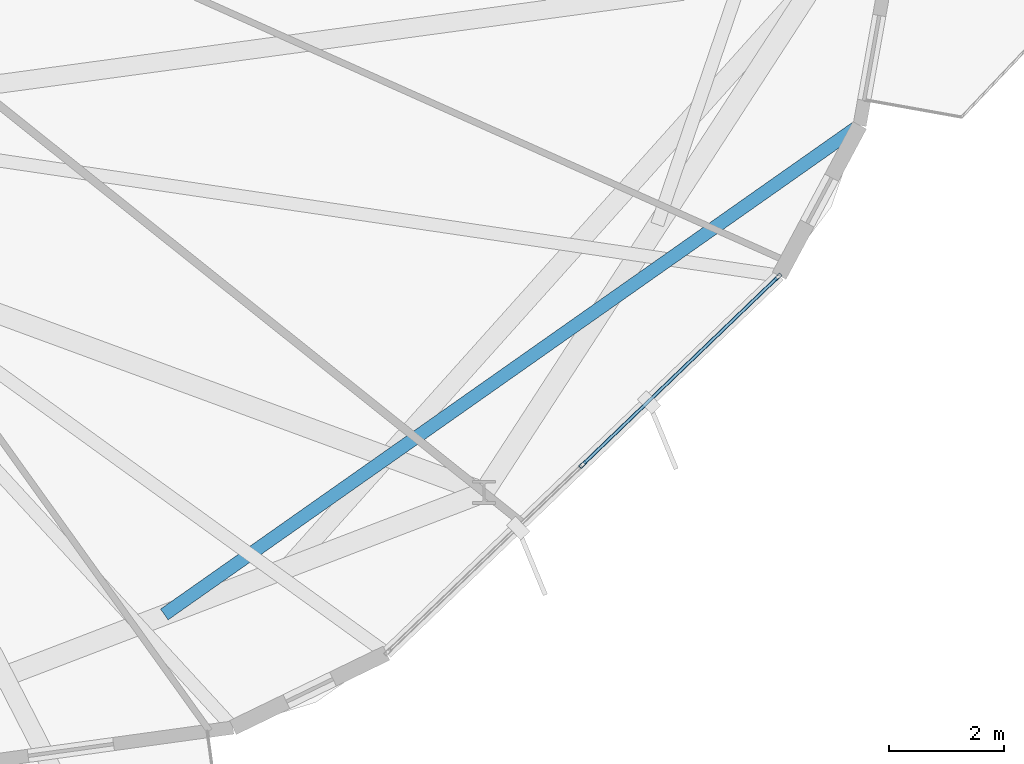
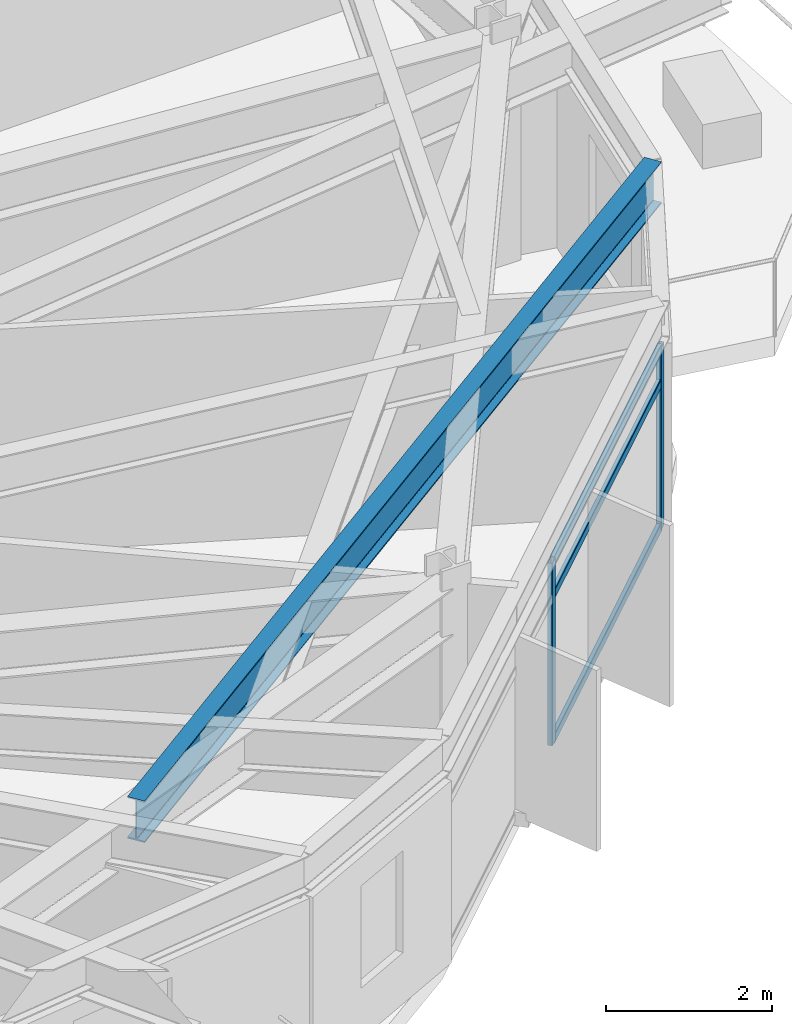
# One storey, part 10 of 26: 5 members, 1 beam, 1 element without a shape of its own.
"""IFC4 building model written with IfcOpenShell, lengths in metres."""

from ifc_helpers import new_model, si_unit, direction, frame, origin, origin_2d, place, context, subcontext, project, spatial, hollow_rectangle, i_section, extrude, material, layer, layer_set, material_profile, profile_set, type_object, element, aggregate, save


model = new_model("IFC4")

# Units and contexts
model_context = context("Model", 3, precision=1e-05, world=origin(), true_north=direction((0.0, 1.0)))
body_context = subcontext(model_context, "Body", "Model", "MODEL_VIEW")
ifc_project = project(units=[si_unit("LENGTHUNIT", "METRE"), si_unit("AREAUNIT", "SQUARE_METRE"), si_unit("VOLUMEUNIT", "CUBIC_METRE"), si_unit("PLANEANGLEUNIT", "RADIAN"), si_unit("MASSUNIT", "GRAM", prefix="KILO")], contexts=[model_context])

# Site, building, storey
site_placement = place(None, origin())
site = spatial("IfcSite", under=ifc_project, at=site_placement, CompositionType="ELEMENT")
building_placement = place(site_placement, origin())
building = spatial("IfcBuilding", under=site, at=building_placement, Name="Soratama Intermodal Tower", CompositionType="ELEMENT")
storey_placement = place(building_placement, frame((0.0, 0.0, 194.199951171875)))
storey = spatial("IfcBuildingStorey", under=building, at=storey_placement, Name="L48", CompositionType="ELEMENT", Elevation=194.199951171875)

# Beam
ifc_material_1 = material(Name="Structural steel ASTM A992 Grade 50", Category="steel")
ifc_material_profile_1 = material_profile(ifc_material_1, i_section(OverallWidth=0.22900390625, OverallDepth=0.612060546875, WebThickness=0.011962890625, FlangeThickness=0.01953125, FilletRadius=0.012939453125, at=origin_2d()), Name="W24X84")
ifc_profile_set_1 = profile_set([ifc_material_profile_1], Name="Structural steel ASTM A992 Grade 50")
beam_type = type_object("IfcBeamType", Name="BM-TIE-W24X84", PredefinedType="BEAM", material=ifc_profile_set_1)
beam_placement = place(storey_placement, frame((51.14794921875, 8.422119140625, 2.994140625), z_axis=(0.817900550907, 0.575359616958, 0.0), x_axis=(-0.575359616958, 0.817900550907, 0.0)))
element("IfcBeam", 1, at=beam_placement, inside=storey, type_object=beam_type, Name="BM-L48-TIE0-09", PredefinedType="BEAM", context=body_context, shape_type="SweptSolid", body=[
    extrude(i_section(OverallWidth=0.22900390625, OverallDepth=0.612060546875, WebThickness=0.011962890625, FlangeThickness=0.01953125, FilletRadius=0.012939453125, at=origin_2d()), origin(), (0.0, 0.0, 1.0), 14.78173828125),
])

# Curtain wall, members
ifc_material_2 = material(Name="Double-glazed aluminium curtain wall", Category="aluminium")
ifc_layer = layer(ifc_material_2, 0.159912109375)
ifc_layer_set = layer_set([ifc_layer], Name="Double-glazed aluminium curtain wall")
curtain_wall_type = type_object("IfcCurtainWallType", Name="CW-SYS-5", PredefinedType="NOTDEFINED", material=ifc_layer_set)
curtain_wall_placement = place(storey_placement, origin())
curtain_wall = element("IfcCurtainWall", 2, at=curtain_wall_placement, inside=storey, type_object=curtain_wall_type, Name="L48 Faceted Curtain Wall F08", PredefinedType="NOTDEFINED")
ifc_material_3 = material(Name="Anodised aluminium AA 6063-T6", Category="aluminium")
ifc_material_profile_2 = material_profile(ifc_material_3, hollow_rectangle(XDim=0.06494140625, YDim=0.139892578125, WallThickness=0.0048828125, InnerFilletRadius=0.0048828125, OuterFilletRadius=0.010009765625, at=origin_2d()), Name="CWM140X65X5")
ifc_profile_set_2 = profile_set([ifc_material_profile_2], Name="Anodised aluminium AA 6063-T6")
member_type_1 = type_object("IfcMemberType", Name="MT-CWM-5", PredefinedType="MULLION", material=ifc_profile_set_2)
member_1_placement = place(storey_placement, frame((58.424560546875, 11.0302734375, 0.0), z_axis=(0.0, 0.0, 1.0), x_axis=(-0.69289789426, 0.721035719039, 0.0)))
member_1 = element("IfcMember", 3, at=member_1_placement, type_object=member_type_1, Name="CW-5 mullion 2", PredefinedType="MULLION", context=body_context, shape_type="SweptSolid", body=[
    extrude(hollow_rectangle(XDim=0.06494140625, YDim=0.139892578125, WallThickness=0.0048828125, InnerFilletRadius=0.0048828125, OuterFilletRadius=0.010009765625, at=origin_2d()), origin(), (0.0, 0.0, 1.0), 2.678955078125),
])
member_2_placement = place(storey_placement, frame((61.817626953125, 14.290771484375, 0.0), z_axis=(0.0, 0.0, 1.0), x_axis=(-0.69289789426, 0.721035719039, 0.0)))
member_2 = element("IfcMember", 4, at=member_2_placement, type_object=member_type_1, Name="CW-5 mullion 3", PredefinedType="MULLION", context=body_context, shape_type="SweptSolid", body=[
    extrude(hollow_rectangle(XDim=0.06494140625, YDim=0.139892578125, WallThickness=0.0048828125, InnerFilletRadius=0.0048828125, OuterFilletRadius=0.010009765625, at=origin_2d()), origin(), (0.0, 0.0, 1.0), 2.678955078125),
])
ifc_material_4 = material(Name="Anodised aluminium AA 6063-T6", Category="aluminium")
ifc_material_profile_3 = material_profile(ifc_material_4, hollow_rectangle(XDim=0.06005859375, YDim=0.1298828125, WallThickness=0.0048828125, InnerFilletRadius=0.0048828125, OuterFilletRadius=0.010009765625, at=origin_2d()), Name="CWT130X60X5")
ifc_profile_set_3 = profile_set([ifc_material_profile_3], Name="Anodised aluminium AA 6063-T6")
member_type_2 = type_object("IfcMemberType", Name="TT-CWT-2", PredefinedType="USERDEFINED", material=ifc_profile_set_3)
member_3_placement = place(storey_placement, frame((58.4462890625, 11.051025390625, 0.030029296875), z_axis=(0.721024909665, 0.692909142415, 0.0), x_axis=(-0.692909142415, 0.721024909665, 0.0)))
member_3 = element("IfcMember", 5, at=member_3_placement, type_object=member_type_2, Name="CW-5 transom 2.1", ObjectType="TRANSOM", PredefinedType="USERDEFINED", context=body_context, shape_type="SweptSolid", body=[
    extrude(hollow_rectangle(XDim=0.06005859375, YDim=0.1298828125, WallThickness=0.0048828125, InnerFilletRadius=0.0048828125, OuterFilletRadius=0.010009765625, at=origin_2d()), origin(), (0.0, 0.0, 1.0), 4.6455078125),
])
member_4_placement = place(storey_placement, frame((58.4462890625, 11.051025390625, 2.150146484375), z_axis=(0.721024909665, 0.692909142415, 0.0), x_axis=(-0.692909142415, 0.721024909665, 0.0)))
member_4 = element("IfcMember", 6, at=member_4_placement, type_object=member_type_2, Name="CW-5 transom 2.2", ObjectType="TRANSOM", PredefinedType="USERDEFINED", context=body_context, shape_type="SweptSolid", body=[
    extrude(hollow_rectangle(XDim=0.06005859375, YDim=0.1298828125, WallThickness=0.0048828125, InnerFilletRadius=0.0048828125, OuterFilletRadius=0.010009765625, at=origin_2d()), origin(), (0.0, 0.0, 1.0), 4.6455078125),
])
member_5_placement = place(storey_placement, frame((58.4462890625, 11.051025390625, 2.649169921875), z_axis=(0.721024909665, 0.692909142415, 0.0), x_axis=(-0.692909142415, 0.721024909665, 0.0)))
member_5 = element("IfcMember", 7, at=member_5_placement, type_object=member_type_2, Name="CW-5 transom 2.3", ObjectType="TRANSOM", PredefinedType="USERDEFINED", context=body_context, shape_type="SweptSolid", body=[
    extrude(hollow_rectangle(XDim=0.06005859375, YDim=0.1298828125, WallThickness=0.0048828125, InnerFilletRadius=0.0048828125, OuterFilletRadius=0.010009765625, at=origin_2d()), origin(), (0.0, 0.0, 1.0), 4.6455078125),
])
aggregate(curtain_wall, [member_1, member_2, member_3, member_4, member_5])

save(model, "model.ifc")
